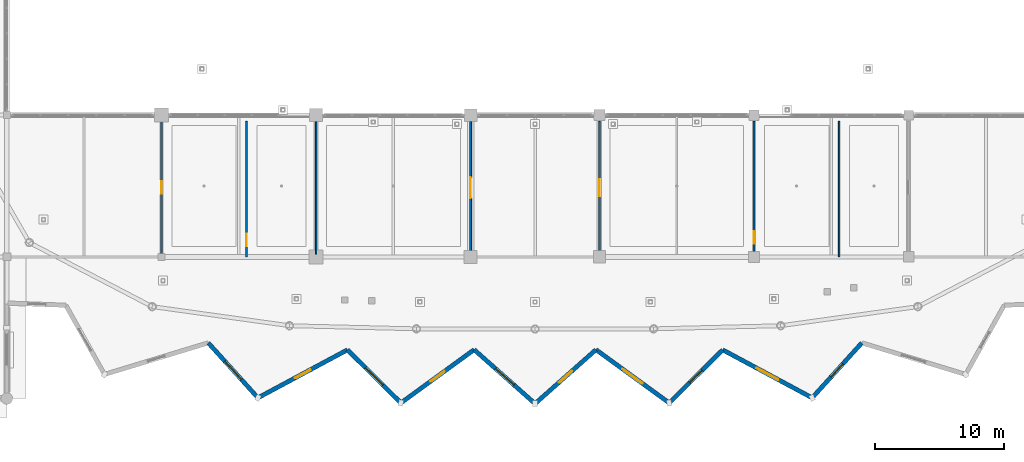
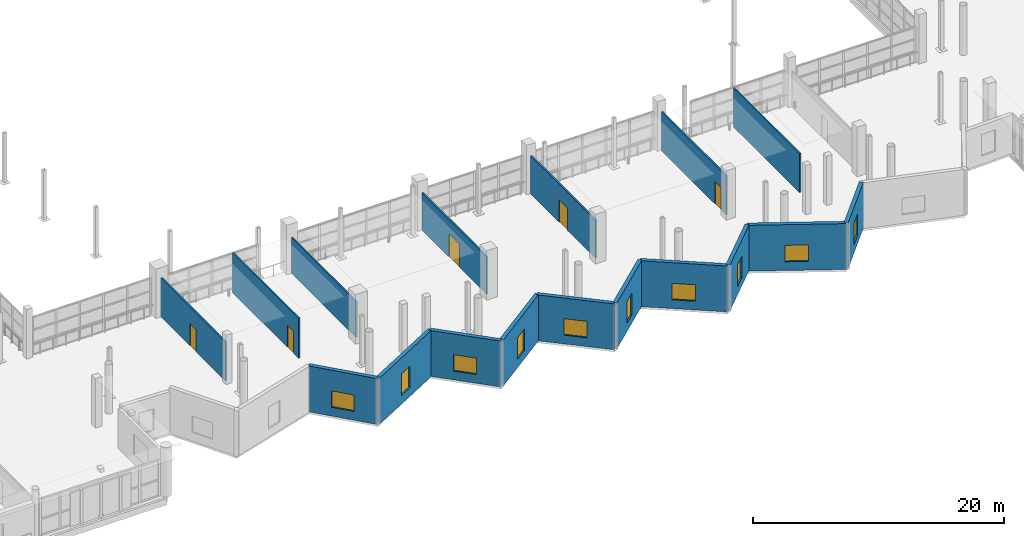
# One storey, part 93 of 143: 17 walls, 10 windows, 5 doors, 15 openings.
"""IFC4 building model written with IfcOpenShell, lengths in metres."""

from ifc_helpers import new_model, si_unit, direction, frame, frame_2d, origin, place, context, subcontext, project, spatial, rectangle, extrude, material, layer, layer_set, type_object, element, fill, save


model = new_model("IFC4")

# Units and contexts
model_context = context("Model", 3, precision=1e-05, world=origin(), true_north=direction((0.0, 1.0)))
body_context = subcontext(model_context, "Body", "Model", "MODEL_VIEW")
ifc_project = project(units=[si_unit("LENGTHUNIT", "METRE"), si_unit("AREAUNIT", "SQUARE_METRE"), si_unit("VOLUMEUNIT", "CUBIC_METRE"), si_unit("PLANEANGLEUNIT", "RADIAN"), si_unit("MASSUNIT", "GRAM", prefix="KILO")], contexts=[model_context])

# Site, building, storey
site_placement = place(None, origin())
site = spatial("IfcSite", under=ifc_project, at=site_placement, CompositionType="ELEMENT")
building_placement = place(site_placement, origin())
building = spatial("IfcBuilding", under=site, at=building_placement, Name="Luwafu Chhajja Arena", CompositionType="ELEMENT")
storey_placement = place(building_placement, frame((0.0, 0.0, 5.39990234375)))
storey = spatial("IfcBuildingStorey", under=building, at=storey_placement, Name="L01", CompositionType="ELEMENT", Elevation=5.39990234375)

# Wall, opening, door
ifc_material_1 = material(Name="Lightweight blockwork partition", Category="masonry")
ifc_layer_1 = layer(ifc_material_1, 0.139892578125, Name="Lightweight blockwork partition")
ifc_layer_set_1 = layer_set([ifc_layer_1], Name="Lightweight blockwork partition")
wall_type_1 = type_object("IfcWallType", Name="Concourse Kiosk Partition 140", PredefinedType="PARTITIONING", material=ifc_layer_set_1)
wall_1_placement = place(storey_placement, frame((70.0, 11.219970703125, 0.0), z_axis=(0.0, 0.0, 1.0), x_axis=(0.0, 1.0, 0.0)))
wall_1 = element("IfcWall", 1, at=wall_1_placement, inside=storey, type_object=wall_type_1, Name="L01 Internal Partition 0226", PredefinedType="PARTITIONING", context=body_context, shape_type="SweptSolid", body=[
    extrude(rectangle(XDim=10.300048828125, YDim=0.139892578125, at=frame_2d((5.14990234375, 0.0))), origin(), (0.0, 0.0, 1.0), 3.7900390625),
])
opening_1_placement = place(wall_1_placement, frame((4.669921875, 0.0, 0.0)))
opening_1 = element("IfcOpeningElement", 2, at=opening_1_placement, cuts=wall_1, Name="Opening DR-22", PredefinedType="OPENING", context=body_context, shape_type="SweptSolid", body=[
    extrude(rectangle(XDim=0.9599609375, YDim=2.14990234375, at=frame_2d((0.47998046875, 1.074951171875))), frame((0.0, 0.079833984375, 0.0), z_axis=(0.0, -1.0, 0.0), x_axis=(1.0, 0.0, 0.0)), (0.0, 0.0, 1.0), 0.159912109375),
])
ifc_material_2 = material(Name="Hardwood flush office door", Category="wood")
door_type_1 = type_object("IfcDoorType", Name="DR-22", OperationType="NOTDEFINED", PredefinedType="DOOR", material=ifc_material_2)
door_1_placement = place(opening_1_placement, origin())
door_1 = element("IfcDoor", 3, at=door_1_placement, inside=storey, type_object=door_type_1, Name="L01 Interior Door L01-D037", OperationType="SINGLE_SWING_RIGHT", OverallHeight=2.14990234375, OverallWidth=0.9599609375, PredefinedType="DOOR", context=body_context, shape_type="SweptSolid", body=[
    extrude(rectangle(XDim=0.9599609375, YDim=2.14990234375, at=frame_2d((0.47998046875, 1.074951171875))), frame((0.0, 0.02490234375, 0.0), z_axis=(0.0, -1.0, 0.0), x_axis=(1.0, 0.0, 0.0)), (0.0, 0.0, 1.0), 0.050048828125),
])
fill(opening_1, door_1)

wall_2_placement = place(storey_placement, frame((94.0, 11.219970703125, 0.0), z_axis=(0.0, 0.0, 1.0), x_axis=(0.0, 1.0, 0.0)))
wall_2 = element("IfcWall", 4, at=wall_2_placement, inside=storey, type_object=wall_type_1, Name="L01 Internal Partition 0227", PredefinedType="PARTITIONING", context=body_context, shape_type="SweptSolid", body=[
    extrude(rectangle(XDim=10.300048828125, YDim=0.139892578125, at=frame_2d((5.14990234375, 0.0))), origin(), (0.0, 0.0, 1.0), 3.64013671875),
])
opening_2_placement = place(wall_2_placement, frame((4.340087890625, 0.0, 0.0)))
opening_2 = element("IfcOpeningElement", 5, at=opening_2_placement, cuts=wall_2, Name="Opening DR-23", PredefinedType="OPENING", context=body_context, shape_type="SweptSolid", body=[
    extrude(rectangle(XDim=1.6201171875, YDim=2.25, at=frame_2d((0.81005859375, 1.125))), frame((0.0, 0.079833984375, 0.0), z_axis=(0.0, -1.0, 0.0), x_axis=(1.0, 0.0, 0.0)), (0.0, 0.0, 1.0), 0.159912109375),
])
ifc_material_3 = material(Name="Hardwood flush glazed double door", Category="wood")
door_type_2 = type_object("IfcDoorType", Name="DR-23", OperationType="DOUBLE_DOOR_SINGLE_SWING", PredefinedType="DOOR", material=ifc_material_3)
door_2_placement = place(opening_2_placement, origin())
door_2 = element("IfcDoor", 6, at=door_2_placement, inside=storey, type_object=door_type_2, Name="L01 Interior Door L01-D038", OperationType="DOUBLE_DOOR_SINGLE_SWING", OverallHeight=2.25, OverallWidth=1.6201171875, PredefinedType="DOOR", context=body_context, shape_type="SweptSolid", body=[
    extrude(rectangle(XDim=1.6201171875, YDim=2.25, at=frame_2d((0.81005859375, 1.125))), frame((0.0, 0.02490234375, 0.0), z_axis=(0.0, -1.0, 0.0), x_axis=(1.0, 0.0, 0.0)), (0.0, 0.0, 1.0), 0.050048828125),
])
fill(opening_2, door_2)

wall_3_placement = place(storey_placement, frame((104.0, 11.219970703125, 0.0), z_axis=(0.0, 0.0, 1.0), x_axis=(0.0, 1.0, 0.0)))
wall_3 = element("IfcWall", 7, at=wall_3_placement, inside=storey, type_object=wall_type_1, Name="L01 Internal Partition 0228", PredefinedType="PARTITIONING", context=body_context, shape_type="SweptSolid", body=[
    extrude(rectangle(XDim=10.300048828125, YDim=0.139892578125, at=frame_2d((5.14990234375, 0.0))), origin(), (0.0, 0.0, 1.0), 3.70654296875),
])
opening_3_placement = place(wall_3_placement, frame((4.47998046875, 0.0, 0.0)))
opening_3 = element("IfcOpeningElement", 8, at=opening_3_placement, cuts=wall_3, Name="Opening DR-26", PredefinedType="OPENING", context=body_context, shape_type="SweptSolid", body=[
    extrude(rectangle(XDim=1.340087890625, YDim=2.14990234375, at=frame_2d((0.669921875, 1.074951171875))), frame((0.0, 0.079833984375, 0.0), z_axis=(0.0, -1.0, 0.0), x_axis=(1.0, 0.0, 0.0)), (0.0, 0.0, 1.0), 0.159912109375),
])
ifc_material_4 = material(Name="Hardwood service leaf", Category="wood")
door_type_3 = type_object("IfcDoorType", Name="DR-26", OperationType="NOTDEFINED", PredefinedType="DOOR", material=ifc_material_4)
door_3_placement = place(opening_3_placement, origin())
door_3 = element("IfcDoor", 9, at=door_3_placement, inside=storey, type_object=door_type_3, Name="L01 Interior Door L01-D039", OperationType="SINGLE_SWING_LEFT", OverallHeight=2.14990234375, OverallWidth=1.340087890625, PredefinedType="DOOR", context=body_context, shape_type="SweptSolid", body=[
    extrude(rectangle(XDim=1.340087890625, YDim=2.14990234375, at=frame_2d((0.669921875, 1.074951171875))), frame((0.0, 0.02490234375, 0.0), z_axis=(0.0, -1.0, 0.0), x_axis=(1.0, 0.0, 0.0)), (0.0, 0.0, 1.0), 0.050048828125),
])
fill(opening_3, door_3)

wall_4_placement = place(storey_placement, frame((116.0, 11.219970703125, 0.0), z_axis=(0.0, 0.0, 1.0), x_axis=(0.0, 1.0, 0.0)))
wall_4 = element("IfcWall", 10, at=wall_4_placement, inside=storey, type_object=wall_type_1, Name="L01 Internal Partition 0255", PredefinedType="PARTITIONING", context=body_context, shape_type="SweptSolid", body=[
    extrude(rectangle(XDim=10.300048828125, YDim=0.139892578125, at=frame_2d((5.14990234375, 0.0))), origin(), (0.0, 0.0, 1.0), 3.7900390625),
])
opening_4_placement = place(wall_4_placement, frame((0.8076171875, 0.0, 0.0)))
opening_4 = element("IfcOpeningElement", 11, at=opening_4_placement, cuts=wall_4, Name="Opening DR-22", PredefinedType="OPENING", context=body_context, shape_type="SweptSolid", body=[
    extrude(rectangle(XDim=0.9599609375, YDim=2.14990234375, at=frame_2d((0.47998046875, 1.074951171875))), frame((0.0, 0.079833984375, 0.0), z_axis=(0.0, -1.0, 0.0), x_axis=(1.0, 0.0, 0.0)), (0.0, 0.0, 1.0), 0.159912109375),
])
door_4_placement = place(opening_4_placement, origin())
door_4 = element("IfcDoor", 12, at=door_4_placement, inside=storey, type_object=door_type_1, Name="L01 Interior Door L01-D057", OperationType="SINGLE_SWING_LEFT", OverallHeight=2.14990234375, OverallWidth=0.9599609375, PredefinedType="DOOR", context=body_context, shape_type="SweptSolid", body=[
    extrude(rectangle(XDim=0.9599609375, YDim=2.14990234375, at=frame_2d((0.47998046875, 1.074951171875))), frame((0.0, 0.02490234375, 0.0), z_axis=(0.0, -1.0, 0.0), x_axis=(1.0, 0.0, 0.0)), (0.0, 0.0, 1.0), 0.050048828125),
])
fill(opening_4, door_4)

ifc_material_5 = material(Name="Acoustic metal-stud gypsum board")
ifc_layer_2 = layer(ifc_material_5, 0.1201171875, Name="Acoustic metal-stud gypsum board")
ifc_layer_set_2 = layer_set([ifc_layer_2], Name="Acoustic metal-stud gypsum board")
wall_type_2 = type_object("IfcWallType", Name="Internal Room Partition 120", PredefinedType="PARTITIONING", material=ifc_layer_set_2)
wall_5_placement = place(storey_placement, frame((76.60009765625, 11.0, 0.0), z_axis=(0.0, 0.0, 1.0), x_axis=(0.0, 1.0, 0.0)))
wall_5 = element("IfcWall", 13, at=wall_5_placement, inside=storey, type_object=wall_type_2, Name="L01 Internal Partition 0253", PredefinedType="PARTITIONING", context=body_context, shape_type="SweptSolid", body=[
    extrude(rectangle(XDim=10.52001953125, YDim=0.1201171875, at=frame_2d((5.260009765625, 0.0))), origin(), (0.0, 0.0, 1.0), 3.89013671875),
])
opening_5_placement = place(wall_5_placement, frame((0.8349609375, 0.0, 0.0)))
opening_5 = element("IfcOpeningElement", 14, at=opening_5_placement, cuts=wall_5, Name="Opening DR-22", PredefinedType="OPENING", context=body_context, shape_type="SweptSolid", body=[
    extrude(rectangle(XDim=0.9599609375, YDim=2.14990234375, at=frame_2d((0.47998046875, 1.074951171875))), frame((0.0, 0.070068359375, 0.0), z_axis=(0.0, -1.0, 0.0), x_axis=(1.0, 0.0, 0.0)), (0.0, 0.0, 1.0), 0.14013671875),
])
door_5_placement = place(opening_5_placement, origin())
door_5 = element("IfcDoor", 15, at=door_5_placement, inside=storey, type_object=door_type_1, Name="L01 Interior Door L01-D056", OperationType="SINGLE_SWING_RIGHT", OverallHeight=2.14990234375, OverallWidth=0.9599609375, PredefinedType="DOOR", context=body_context, shape_type="SweptSolid", body=[
    extrude(rectangle(XDim=0.9599609375, YDim=2.14990234375, at=frame_2d((0.47998046875, 1.074951171875))), frame((0.0, 0.02490234375, 0.0), z_axis=(0.0, -1.0, 0.0), x_axis=(1.0, 0.0, 0.0)), (0.0, 0.0, 1.0), 0.050048828125),
])
fill(opening_5, door_5)

# Walls
wall_6_placement = place(storey_placement, frame((82.0, 11.219970703125, 0.0), z_axis=(0.0, 0.0, 1.0), x_axis=(0.0, 1.0, 0.0)))
element("IfcWall", 16, at=wall_6_placement, inside=storey, type_object=wall_type_2, Name="L01 Internal Partition 0254", PredefinedType="PARTITIONING", context=body_context, shape_type="SweptSolid", body=[
    extrude(rectangle(XDim=10.300048828125, YDim=0.1201171875, at=frame_2d((5.14990234375, 0.0))), origin(), (0.0, 0.0, 1.0), 3.489990234375),
])
wall_7_placement = place(storey_placement, frame((122.60009765625, 11.0, 0.0), z_axis=(0.0, 0.0, 1.0), x_axis=(0.0, 1.0, 0.0)))
element("IfcWall", 17, at=wall_7_placement, inside=storey, type_object=wall_type_2, Name="L01 Internal Partition 0256", PredefinedType="PARTITIONING", context=body_context, shape_type="SweptSolid", body=[
    extrude(rectangle(XDim=10.52001953125, YDim=0.1201171875, at=frame_2d((5.260009765625, 0.0))), origin(), (0.0, 0.0, 1.0), 3.7900390625),
])

# Wall, opening, window
ifc_material_6 = material(Name="Precast concrete C40/50", Category="concrete")
ifc_layer_3 = layer(ifc_material_6, 0.340087890625, Name="Precast concrete C40/50")
ifc_layer_set_3 = layer_set([ifc_layer_3], Name="Precast concrete C40/50")
wall_type_3 = type_object("IfcWallType", Name="Pleated Bowl V-Fold Wall 340", PredefinedType="USERDEFINED", material=ifc_layer_set_3)
wall_8_placement = place(storey_placement, frame((73.635986328125, 4.316162109375, 0.0), z_axis=(0.0, 0.0, 1.0), x_axis=(0.670348131104, -0.742046752654, 0.0)))
wall_8 = element("IfcWall", 18, at=wall_8_placement, inside=storey, type_object=wall_type_3, Name="L01 Pleated Bowl V-Fold Wall 44", ObjectType="PLEATED FACADE WALL", PredefinedType="USERDEFINED", context=body_context, shape_type="SweptSolid", body=[
    extrude(rectangle(XDim=5.747802734375, YDim=0.340087890625, at=frame_2d((2.8740234375, 0.0))), origin(), (0.0, 0.0, 1.0), 4.455078125),
])
opening_6_placement = place(wall_8_placement, frame((1.923828125, 0.0, 0.85009765625)))
opening_6 = element("IfcOpeningElement", 19, at=opening_6_placement, cuts=wall_8, Name="Opening WN-15", PredefinedType="OPENING", context=body_context, shape_type="SweptSolid", body=[
    extrude(rectangle(XDim=1.89990234375, YDim=1.60009765625, at=frame_2d((0.949951171875, 0.800048828125))), frame((0.0, 0.179931640625, 0.0), z_axis=(0.0, -1.0, 0.0), x_axis=(1.0, 0.0, 0.0)), (0.0, 0.0, 1.0), 0.360107421875),
])
ifc_material_7 = material(Name="Solar-control laminated glass", Category="glass")
window_type_1 = type_object("IfcWindowType", Name="Pleated Drum Inward-Fold Clerestory 1900x1600", PartitioningType="SINGLE_PANEL", PredefinedType="WINDOW", material=ifc_material_7)
window_1_placement = place(opening_6_placement, origin())
window_1 = element("IfcWindow", 20, at=window_1_placement, inside=storey, type_object=window_type_1, Name="L01 Pleated Bowl Lancet Window 006", OverallHeight=1.60009765625, OverallWidth=1.89990234375, PartitioningType="SINGLE_PANEL", PredefinedType="WINDOW", context=body_context, shape_type="SweptSolid", body=[
    extrude(rectangle(XDim=1.89990234375, YDim=1.60009765625, at=frame_2d((0.949951171875, 0.800048828125))), frame((0.0, 0.030029296875, 0.0), z_axis=(0.0, -1.0, 0.0), x_axis=(1.0, 0.0, 0.0)), (0.0, 0.0, 1.0), 0.06005859375),
])
fill(opening_6, window_1)

wall_9_placement = place(storey_placement, frame((77.489013671875, 0.051025390625, 0.0), z_axis=(0.0, 0.0, 1.0), x_axis=(0.881201188687, 0.472741435731, 0.0)))
wall_9 = element("IfcWall", 21, at=wall_9_placement, inside=storey, type_object=wall_type_3, Name="L01 Pleated Bowl V-Fold Wall 45", ObjectType="PLEATED FACADE WALL", PredefinedType="USERDEFINED", context=body_context, shape_type="SweptSolid", body=[
    extrude(rectangle(XDim=7.880859375, YDim=0.340087890625, at=frame_2d((3.9404296875, 0.0))), origin(), (0.0, 0.0, 1.0), 4.455078125),
])
opening_7_placement = place(wall_9_placement, frame((3.265380859375, 0.0, 0.800048828125)))
opening_7 = element("IfcOpeningElement", 22, at=opening_7_placement, cuts=wall_9, Name="Opening WN-17", PredefinedType="OPENING", context=body_context, shape_type="SweptSolid", body=[
    extrude(rectangle(XDim=1.35009765625, YDim=2.10009765625, at=frame_2d((0.675048828125, 1.050048828125))), frame((0.0, 0.179931640625, 0.0), z_axis=(0.0, -1.0, 0.0), x_axis=(1.0, 0.0, 0.0)), (0.0, 0.0, 1.0), 0.360107421875),
])
window_type_2 = type_object("IfcWindowType", Name="Exhibition Mezzanine Lancet Window 1350x2100", PartitioningType="SINGLE_PANEL", PredefinedType="WINDOW", material=ifc_material_7)
window_2_placement = place(opening_7_placement, origin())
window_2 = element("IfcWindow", 23, at=window_2_placement, inside=storey, type_object=window_type_2, Name="L01 Pleated Bowl Lancet Window 007", OverallHeight=2.10009765625, OverallWidth=1.35009765625, PartitioningType="SINGLE_PANEL", PredefinedType="WINDOW", context=body_context, shape_type="SweptSolid", body=[
    extrude(rectangle(XDim=1.35009765625, YDim=2.10009765625, at=frame_2d((0.675048828125, 1.050048828125))), frame((0.0, 0.030029296875, 0.0), z_axis=(0.0, -1.0, 0.0), x_axis=(1.0, 0.0, 0.0)), (0.0, 0.0, 1.0), 0.06005859375),
])
fill(opening_7, window_2)

wall_10_placement = place(storey_placement, frame((84.43359375, 3.776611328125, 0.0), z_axis=(0.0, 0.0, 1.0), x_axis=(0.710084208502, -0.704116763638, 0.0)))
wall_10 = element("IfcWall", 24, at=wall_10_placement, inside=storey, type_object=wall_type_3, Name="L01 Pleated Bowl V-Fold Wall 46", ObjectType="PLEATED FACADE WALL", PredefinedType="USERDEFINED", context=body_context, shape_type="SweptSolid", body=[
    extrude(rectangle(XDim=5.850341796875, YDim=0.340087890625, at=frame_2d((2.92529296875, 0.0))), origin(), (0.0, 0.0, 1.0), 4.455078125),
])
opening_8_placement = place(wall_10_placement, frame((1.97509765625, 0.0, 0.85009765625)))
opening_8 = element("IfcOpeningElement", 25, at=opening_8_placement, cuts=wall_10, Name="Opening WN-15", PredefinedType="OPENING", context=body_context, shape_type="SweptSolid", body=[
    extrude(rectangle(XDim=1.89990234375, YDim=1.60009765625, at=frame_2d((0.949951171875, 0.800048828125))), frame((0.0, 0.179931640625, 0.0), z_axis=(0.0, -1.0, 0.0), x_axis=(1.0, 0.0, 0.0)), (0.0, 0.0, 1.0), 0.360107421875),
])
window_3_placement = place(opening_8_placement, origin())
window_3 = element("IfcWindow", 26, at=window_3_placement, inside=storey, type_object=window_type_1, Name="L01 Pleated Bowl Lancet Window 008", OverallHeight=1.60009765625, OverallWidth=1.89990234375, PartitioningType="SINGLE_PANEL", PredefinedType="WINDOW", context=body_context, shape_type="SweptSolid", body=[
    extrude(rectangle(XDim=1.89990234375, YDim=1.60009765625, at=frame_2d((0.949951171875, 0.800048828125))), frame((0.0, 0.030029296875, 0.0), z_axis=(0.0, -1.0, 0.0), x_axis=(1.0, 0.0, 0.0)), (0.0, 0.0, 1.0), 0.06005859375),
])
fill(opening_8, window_3)

wall_11_placement = place(storey_placement, frame((88.587890625, -0.3427734375, 0.0), z_axis=(0.0, 0.0, 1.0), x_axis=(0.808841233488, 0.588027090371, 0.0)))
wall_11 = element("IfcWall", 27, at=wall_11_placement, inside=storey, type_object=wall_type_3, Name="L01 Pleated Bowl V-Fold Wall 47", ObjectType="PLEATED FACADE WALL", PredefinedType="USERDEFINED", context=body_context, shape_type="SweptSolid", body=[
    extrude(rectangle(XDim=7.02734375, YDim=0.340087890625, at=frame_2d((3.513671875, 0.0))), origin(), (0.0, 0.0, 1.0), 4.455078125),
])
opening_9_placement = place(wall_11_placement, frame((2.838623046875, 0.0, 0.800048828125)))
opening_9 = element("IfcOpeningElement", 28, at=opening_9_placement, cuts=wall_11, Name="Opening WN-17", PredefinedType="OPENING", context=body_context, shape_type="SweptSolid", body=[
    extrude(rectangle(XDim=1.35009765625, YDim=2.10009765625, at=frame_2d((0.675048828125, 1.050048828125))), frame((0.0, 0.179931640625, 0.0), z_axis=(0.0, -1.0, 0.0), x_axis=(1.0, 0.0, 0.0)), (0.0, 0.0, 1.0), 0.360107421875),
])
window_4_placement = place(opening_9_placement, origin())
window_4 = element("IfcWindow", 29, at=window_4_placement, inside=storey, type_object=window_type_2, Name="L01 Pleated Bowl Lancet Window 009", OverallHeight=2.10009765625, OverallWidth=1.35009765625, PartitioningType="SINGLE_PANEL", PredefinedType="WINDOW", context=body_context, shape_type="SweptSolid", body=[
    extrude(rectangle(XDim=1.35009765625, YDim=2.10009765625, at=frame_2d((0.675048828125, 1.050048828125))), frame((0.0, 0.030029296875, 0.0), z_axis=(0.0, -1.0, 0.0), x_axis=(1.0, 0.0, 0.0)), (0.0, 0.0, 1.0), 0.06005859375),
])
fill(opening_9, window_4)

wall_12_placement = place(storey_placement, frame((94.27197265625, 3.78955078125, 0.0), z_axis=(0.0, 0.0, 1.0), x_axis=(0.74844895461, -0.663192402205, 0.0)))
wall_12 = element("IfcWall", 30, at=wall_12_placement, inside=storey, type_object=wall_type_3, Name="L01 Pleated Bowl V-Fold Wall 48", ObjectType="PLEATED FACADE WALL", PredefinedType="USERDEFINED", context=body_context, shape_type="SweptSolid", body=[
    extrude(rectangle(XDim=6.317138671875, YDim=0.340087890625, at=frame_2d((3.15869140625, 0.0))), origin(), (0.0, 0.0, 1.0), 4.455078125),
])
opening_10_placement = place(wall_12_placement, frame((2.20849609375, 0.0, 0.85009765625)))
opening_10 = element("IfcOpeningElement", 31, at=opening_10_placement, cuts=wall_12, Name="Opening WN-15", PredefinedType="OPENING", context=body_context, shape_type="SweptSolid", body=[
    extrude(rectangle(XDim=1.89990234375, YDim=1.60009765625, at=frame_2d((0.949951171875, 0.800048828125))), frame((0.0, 0.179931640625, 0.0), z_axis=(0.0, -1.0, 0.0), x_axis=(1.0, 0.0, 0.0)), (0.0, 0.0, 1.0), 0.360107421875),
])
window_5_placement = place(opening_10_placement, origin())
window_5 = element("IfcWindow", 32, at=window_5_placement, inside=storey, type_object=window_type_1, Name="L01 Pleated Bowl Lancet Window 010", OverallHeight=1.60009765625, OverallWidth=1.89990234375, PartitioningType="SINGLE_PANEL", PredefinedType="WINDOW", context=body_context, shape_type="SweptSolid", body=[
    extrude(rectangle(XDim=1.89990234375, YDim=1.60009765625, at=frame_2d((0.949951171875, 0.800048828125))), frame((0.0, 0.030029296875, 0.0), z_axis=(0.0, -1.0, 0.0), x_axis=(1.0, 0.0, 0.0)), (0.0, 0.0, 1.0), 0.06005859375),
])
fill(opening_10, window_5)

wall_13_placement = place(storey_placement, frame((99.0, -0.39990234375, 0.0), z_axis=(0.0, 0.0, 1.0), x_axis=(0.74844895461, 0.663192402205, 0.0)))
wall_13 = element("IfcWall", 33, at=wall_13_placement, inside=storey, type_object=wall_type_3, Name="L01 Pleated Bowl V-Fold Wall 49", ObjectType="PLEATED FACADE WALL", PredefinedType="USERDEFINED", context=body_context, shape_type="SweptSolid", body=[
    extrude(rectangle(XDim=6.317138671875, YDim=0.340087890625, at=frame_2d((3.15869140625, 0.0))), origin(), (0.0, 0.0, 1.0), 4.455078125),
])
opening_11_placement = place(wall_13_placement, frame((2.483642578125, 0.0, 0.800048828125)))
opening_11 = element("IfcOpeningElement", 34, at=opening_11_placement, cuts=wall_13, Name="Opening WN-17", PredefinedType="OPENING", context=body_context, shape_type="SweptSolid", body=[
    extrude(rectangle(XDim=1.35009765625, YDim=2.10009765625, at=frame_2d((0.675048828125, 1.050048828125))), frame((0.0, 0.179931640625, 0.0), z_axis=(0.0, -1.0, 0.0), x_axis=(1.0, 0.0, 0.0)), (0.0, 0.0, 1.0), 0.360107421875),
])
window_6_placement = place(opening_11_placement, origin())
window_6 = element("IfcWindow", 35, at=window_6_placement, inside=storey, type_object=window_type_2, Name="L01 Pleated Bowl Lancet Window 011", OverallHeight=2.10009765625, OverallWidth=1.35009765625, PartitioningType="SINGLE_PANEL", PredefinedType="WINDOW", context=body_context, shape_type="SweptSolid", body=[
    extrude(rectangle(XDim=1.35009765625, YDim=2.10009765625, at=frame_2d((0.675048828125, 1.050048828125))), frame((0.0, 0.030029296875, 0.0), z_axis=(0.0, -1.0, 0.0), x_axis=(1.0, 0.0, 0.0)), (0.0, 0.0, 1.0), 0.06005859375),
])
fill(opening_11, window_6)

wall_14_placement = place(storey_placement, frame((103.72802734375, 3.78955078125, 0.0), z_axis=(0.0, 0.0, 1.0), x_axis=(0.808841233488, -0.588027090371, 0.0)))
wall_14 = element("IfcWall", 36, at=wall_14_placement, inside=storey, type_object=wall_type_3, Name="L01 Pleated Bowl V-Fold Wall 50", ObjectType="PLEATED FACADE WALL", PredefinedType="USERDEFINED", context=body_context, shape_type="SweptSolid", body=[
    extrude(rectangle(XDim=7.02734375, YDim=0.340087890625, at=frame_2d((3.513671875, 0.0))), origin(), (0.0, 0.0, 1.0), 4.455078125),
])
opening_12_placement = place(wall_14_placement, frame((2.563720703125, 0.0, 0.85009765625)))
opening_12 = element("IfcOpeningElement", 37, at=opening_12_placement, cuts=wall_14, Name="Opening WN-15", PredefinedType="OPENING", context=body_context, shape_type="SweptSolid", body=[
    extrude(rectangle(XDim=1.89990234375, YDim=1.60009765625, at=frame_2d((0.949951171875, 0.800048828125))), frame((0.0, 0.179931640625, 0.0), z_axis=(0.0, -1.0, 0.0), x_axis=(1.0, 0.0, 0.0)), (0.0, 0.0, 1.0), 0.360107421875),
])
window_7_placement = place(opening_12_placement, origin())
window_7 = element("IfcWindow", 38, at=window_7_placement, inside=storey, type_object=window_type_1, Name="L01 Pleated Bowl Lancet Window 012", OverallHeight=1.60009765625, OverallWidth=1.89990234375, PartitioningType="SINGLE_PANEL", PredefinedType="WINDOW", context=body_context, shape_type="SweptSolid", body=[
    extrude(rectangle(XDim=1.89990234375, YDim=1.60009765625, at=frame_2d((0.949951171875, 0.800048828125))), frame((0.0, 0.030029296875, 0.0), z_axis=(0.0, -1.0, 0.0), x_axis=(1.0, 0.0, 0.0)), (0.0, 0.0, 1.0), 0.06005859375),
])
fill(opening_12, window_7)

wall_15_placement = place(storey_placement, frame((109.412109375, -0.3427734375, 0.0), z_axis=(0.0, 0.0, 1.0), x_axis=(0.710084208502, 0.704116763638, 0.0)))
wall_15 = element("IfcWall", 39, at=wall_15_placement, inside=storey, type_object=wall_type_3, Name="L01 Pleated Bowl V-Fold Wall 51", ObjectType="PLEATED FACADE WALL", PredefinedType="USERDEFINED", context=body_context, shape_type="SweptSolid", body=[
    extrude(rectangle(XDim=5.850341796875, YDim=0.340087890625, at=frame_2d((2.92529296875, 0.0))), origin(), (0.0, 0.0, 1.0), 4.455078125),
])
opening_13_placement = place(wall_15_placement, frame((2.250244140625, 0.0, 0.800048828125)))
opening_13 = element("IfcOpeningElement", 40, at=opening_13_placement, cuts=wall_15, Name="Opening WN-17", PredefinedType="OPENING", context=body_context, shape_type="SweptSolid", body=[
    extrude(rectangle(XDim=1.35009765625, YDim=2.10009765625, at=frame_2d((0.675048828125, 1.050048828125))), frame((0.0, 0.179931640625, 0.0), z_axis=(0.0, -1.0, 0.0), x_axis=(1.0, 0.0, 0.0)), (0.0, 0.0, 1.0), 0.360107421875),
])
window_8_placement = place(opening_13_placement, origin())
window_8 = element("IfcWindow", 41, at=window_8_placement, inside=storey, type_object=window_type_2, Name="L01 Pleated Bowl Lancet Window 013", OverallHeight=2.10009765625, OverallWidth=1.35009765625, PartitioningType="SINGLE_PANEL", PredefinedType="WINDOW", context=body_context, shape_type="SweptSolid", body=[
    extrude(rectangle(XDim=1.35009765625, YDim=2.10009765625, at=frame_2d((0.675048828125, 1.050048828125))), frame((0.0, 0.030029296875, 0.0), z_axis=(0.0, -1.0, 0.0), x_axis=(1.0, 0.0, 0.0)), (0.0, 0.0, 1.0), 0.06005859375),
])
fill(opening_13, window_8)

wall_16_placement = place(storey_placement, frame((113.56640625, 3.776611328125, 0.0), z_axis=(0.0, 0.0, 1.0), x_axis=(0.881201188687, -0.472741435731, 0.0)))
wall_16 = element("IfcWall", 42, at=wall_16_placement, inside=storey, type_object=wall_type_3, Name="L01 Pleated Bowl V-Fold Wall 52", ObjectType="PLEATED FACADE WALL", PredefinedType="USERDEFINED", context=body_context, shape_type="SweptSolid", body=[
    extrude(rectangle(XDim=7.880859375, YDim=0.340087890625, at=frame_2d((3.9404296875, 0.0))), origin(), (0.0, 0.0, 1.0), 4.455078125),
])
opening_14_placement = place(wall_16_placement, frame((2.990234375, 0.0, 0.85009765625)))
opening_14 = element("IfcOpeningElement", 43, at=opening_14_placement, cuts=wall_16, Name="Opening WN-15", PredefinedType="OPENING", context=body_context, shape_type="SweptSolid", body=[
    extrude(rectangle(XDim=1.89990234375, YDim=1.60009765625, at=frame_2d((0.949951171875, 0.800048828125))), frame((0.0, 0.179931640625, 0.0), z_axis=(0.0, -1.0, 0.0), x_axis=(1.0, 0.0, 0.0)), (0.0, 0.0, 1.0), 0.360107421875),
])
window_9_placement = place(opening_14_placement, origin())
window_9 = element("IfcWindow", 44, at=window_9_placement, inside=storey, type_object=window_type_1, Name="L01 Pleated Bowl Lancet Window 014", OverallHeight=1.60009765625, OverallWidth=1.89990234375, PartitioningType="SINGLE_PANEL", PredefinedType="WINDOW", context=body_context, shape_type="SweptSolid", body=[
    extrude(rectangle(XDim=1.89990234375, YDim=1.60009765625, at=frame_2d((0.949951171875, 0.800048828125))), frame((0.0, 0.030029296875, 0.0), z_axis=(0.0, -1.0, 0.0), x_axis=(1.0, 0.0, 0.0)), (0.0, 0.0, 1.0), 0.06005859375),
])
fill(opening_14, window_9)

wall_17_placement = place(storey_placement, frame((120.510986328125, 0.051025390625, 0.0), z_axis=(0.0, 0.0, 1.0), x_axis=(0.670348131104, 0.742046752654, 0.0)))
wall_17 = element("IfcWall", 45, at=wall_17_placement, inside=storey, type_object=wall_type_3, Name="L01 Pleated Bowl V-Fold Wall 53", ObjectType="PLEATED FACADE WALL", PredefinedType="USERDEFINED", context=body_context, shape_type="SweptSolid", body=[
    extrude(rectangle(XDim=5.747802734375, YDim=0.340087890625, at=frame_2d((2.8740234375, 0.0))), origin(), (0.0, 0.0, 1.0), 4.455078125),
])
opening_15_placement = place(wall_17_placement, frame((2.198974609375, 0.0, 0.800048828125)))
opening_15 = element("IfcOpeningElement", 46, at=opening_15_placement, cuts=wall_17, Name="Opening WN-17", PredefinedType="OPENING", context=body_context, shape_type="SweptSolid", body=[
    extrude(rectangle(XDim=1.35009765625, YDim=2.10009765625, at=frame_2d((0.675048828125, 1.050048828125))), frame((0.0, 0.179931640625, 0.0), z_axis=(0.0, -1.0, 0.0), x_axis=(1.0, 0.0, 0.0)), (0.0, 0.0, 1.0), 0.360107421875),
])
window_10_placement = place(opening_15_placement, origin())
window_10 = element("IfcWindow", 47, at=window_10_placement, inside=storey, type_object=window_type_2, Name="L01 Pleated Bowl Lancet Window 015", OverallHeight=2.10009765625, OverallWidth=1.35009765625, PartitioningType="SINGLE_PANEL", PredefinedType="WINDOW", context=body_context, shape_type="SweptSolid", body=[
    extrude(rectangle(XDim=1.35009765625, YDim=2.10009765625, at=frame_2d((0.675048828125, 1.050048828125))), frame((0.0, 0.030029296875, 0.0), z_axis=(0.0, -1.0, 0.0), x_axis=(1.0, 0.0, 0.0)), (0.0, 0.0, 1.0), 0.06005859375),
])
fill(opening_15, window_10)

save(model, "model.ifc")
